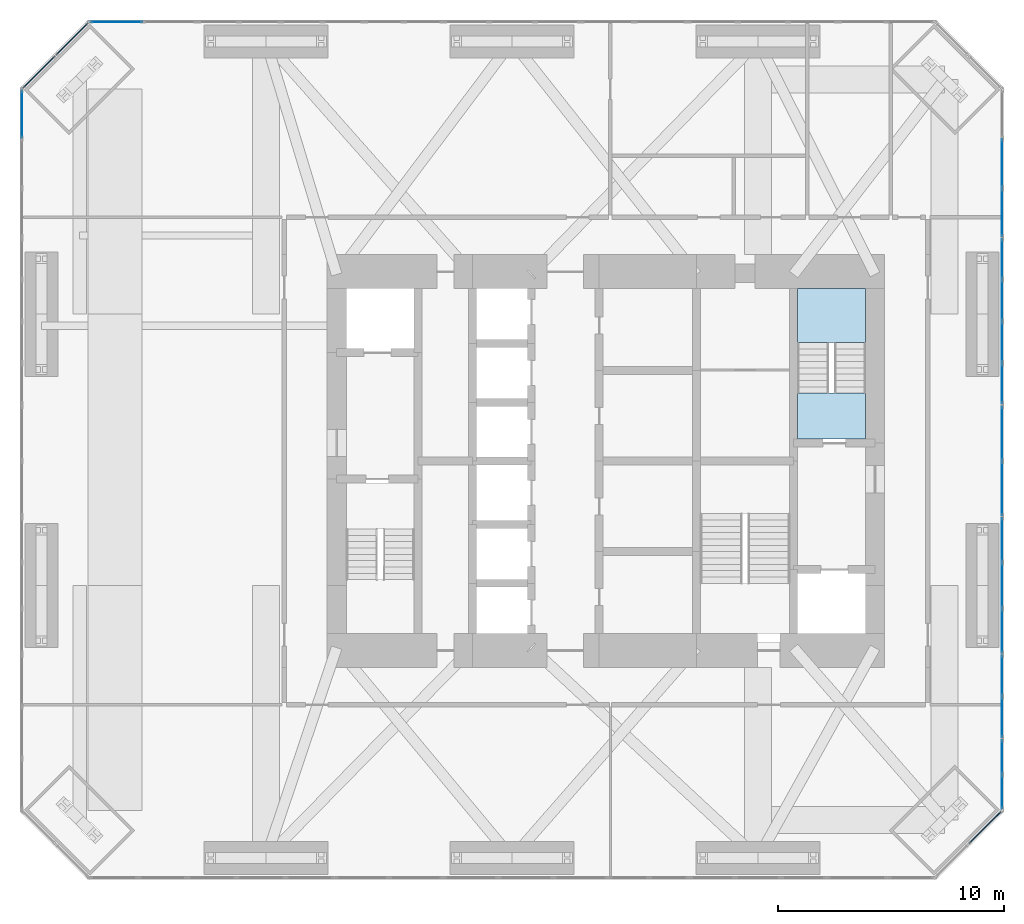
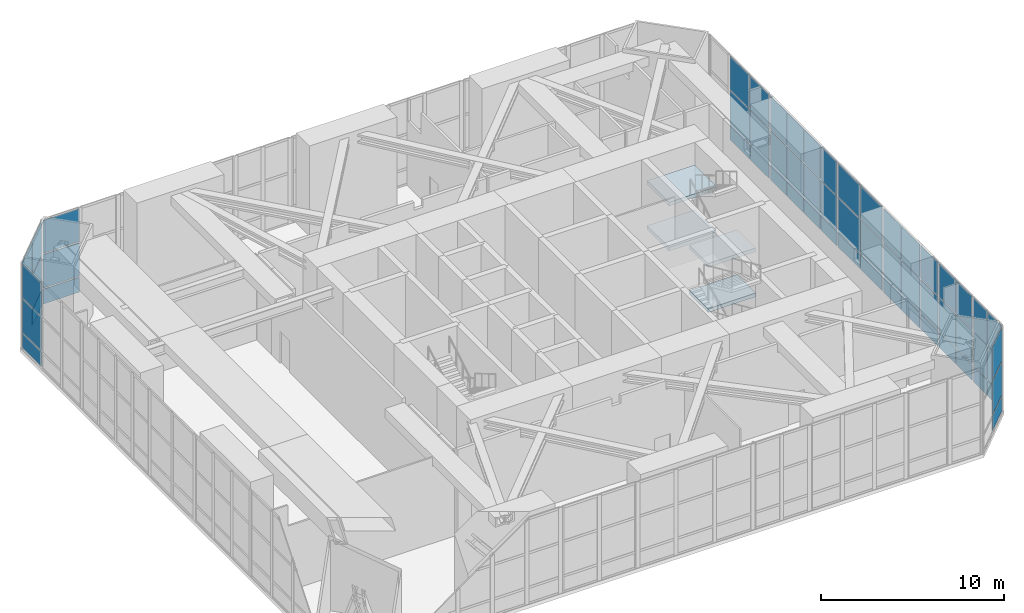
# One storey, part 12 of 18: 60 plates, 4 slabs, 11 elements without a shape of their own.
"""IFC4 building model written with IfcOpenShell, lengths in metres."""

from ifc_helpers import new_model, si_unit, direction, frame, origin, origin_2d, place, context, subcontext, project, spatial, polyline, rectangle, outline, extrude, material, layer, layer_set, type_object, element, aggregate, save


model = new_model("IFC4")

# Units and contexts
model_context = context("Model", 3, precision=1e-05, world=origin(), true_north=direction((0.0, 1.0)))
body_context = subcontext(model_context, "Body", "Model", "MODEL_VIEW")
ifc_project = project(units=[si_unit("LENGTHUNIT", "METRE"), si_unit("AREAUNIT", "SQUARE_METRE"), si_unit("VOLUMEUNIT", "CUBIC_METRE"), si_unit("PLANEANGLEUNIT", "RADIAN"), si_unit("MASSUNIT", "GRAM", prefix="KILO")], contexts=[model_context])

# Site, building, storey
site_placement = place(None, origin())
site = spatial("IfcSite", under=ifc_project, at=site_placement, CompositionType="ELEMENT")
building_placement = place(site_placement, origin())
building = spatial("IfcBuilding", under=site, at=building_placement, Name="Jalousie Tower", CompositionType="ELEMENT")
storey_placement = place(building_placement, frame((0.0, 0.0, 138.35009765625)))
storey = spatial("IfcBuildingStorey", under=building, at=storey_placement, Name="L38", CompositionType="ELEMENT", Elevation=138.35009765625)

# Curtain wall, plates
ifc_material_1 = material(Name="Aluminium curtain wall", Category="aluminium")
curtain_wall_type_1 = type_object("IfcCurtainWallType", Name="SKY LOUNGE SPANDREL WALL", PredefinedType="USERDEFINED", material=ifc_material_1)
curtain_wall_1_placement = place(storey_placement, origin())
curtain_wall_1 = element("IfcCurtainWall", 1, at=curtain_wall_1_placement, inside=storey, type_object=curtain_wall_type_1, Name="Sky Lounge Spandrel Wall L38 2", ObjectType="SKY LOUNGE SPANDREL WALL", PredefinedType="USERDEFINED")
ifc_material_2 = material(Name="Laminated impact-rated spandrel glass", Category="glass")
ifc_layer_1 = layer(ifc_material_2, 0.035888671875)
ifc_layer_set_1 = layer_set([ifc_layer_1], Name="Laminated impact-rated spandrel glass")
plate_type_1 = type_object("IfcPlateType", Name="SKY LOUNGE SPANDREL WALL PANEL", PredefinedType="CURTAIN_PANEL", material=ifc_layer_set_1)
plate_1_placement = place(storey_placement, frame((48.658203125, 2.297119140625, 0.07470703125), z_axis=(0.0, 0.0, 1.0), x_axis=(0.707106781187, 0.707106781187, 0.0)))
plate_1 = element("IfcPlate", 2, at=plate_1_placement, type_object=plate_type_1, Name="CW-KS panel 2.1", PredefinedType="CURTAIN_PANEL", context=body_context, shape_type="SweptSolid", body=[
    extrude(rectangle(XDim=1.983154296875, YDim=0.035888671875, at=origin_2d()), origin(), (0.0, 0.0, 1.0), 0.987548828125),
])
plate_2_placement = place(storey_placement, frame((48.658203125, 2.297119140625, 1.137451171875), z_axis=(0.0, 0.0, 1.0), x_axis=(0.707106781187, 0.707106781187, 0.0)))
plate_2 = element("IfcPlate", 3, at=plate_2_placement, type_object=plate_type_1, Name="CW-KS panel 2.2", PredefinedType="CURTAIN_PANEL", context=body_context, shape_type="SweptSolid", body=[
    extrude(rectangle(XDim=1.983154296875, YDim=0.035888671875, at=origin_2d()), origin(), (0.0, 0.0, 1.0), 2.22509765625),
])
plate_3_placement = place(storey_placement, frame((48.658203125, 2.297119140625, 3.4375), z_axis=(0.0, 0.0, 1.0), x_axis=(0.707106781187, 0.707106781187, 0.0)))
plate_3 = element("IfcPlate", 4, at=plate_3_placement, type_object=plate_type_1, Name="CW-KS panel 2.3", PredefinedType="CURTAIN_PANEL", context=body_context, shape_type="SweptSolid", body=[
    extrude(rectangle(XDim=1.983154296875, YDim=0.035888671875, at=origin_2d()), origin(), (0.0, 0.0, 1.0), 2.20751953125),
])
aggregate(curtain_wall_1, [plate_1, plate_2, plate_3])

curtain_wall_2_placement = place(storey_placement, origin())
curtain_wall_2 = element("IfcCurtainWall", 5, at=curtain_wall_2_placement, inside=storey, type_object=curtain_wall_type_1, Name="Sky Lounge Spandrel Wall L38 21", ObjectType="SKY LOUNGE SPANDREL WALL", PredefinedType="USERDEFINED")
plate_4_placement = place(storey_placement, frame((49.41259765625, 3.864013671875, 0.07470703125), z_axis=(0.0, 0.0, 1.0), x_axis=(0.0, 1.0, 0.0)))
plate_4 = element("IfcPlate", 6, at=plate_4_placement, type_object=plate_type_1, Name="CW-KS panel 1.1", PredefinedType="CURTAIN_PANEL", context=body_context, shape_type="SweptSolid", body=[
    extrude(rectangle(XDim=1.475341796875, YDim=0.035888671875, at=origin_2d()), origin(), (0.0, 0.0, 1.0), 0.987548828125),
])
plate_5_placement = place(storey_placement, frame((49.41259765625, 3.864013671875, 1.137451171875), z_axis=(0.0, 0.0, 1.0), x_axis=(0.0, 1.0, 0.0)))
plate_5 = element("IfcPlate", 7, at=plate_5_placement, type_object=plate_type_1, Name="CW-KS panel 1.2", PredefinedType="CURTAIN_PANEL", context=body_context, shape_type="SweptSolid", body=[
    extrude(rectangle(XDim=1.475341796875, YDim=0.035888671875, at=origin_2d()), origin(), (0.0, 0.0, 1.0), 2.22509765625),
])
plate_6_placement = place(storey_placement, frame((49.41259765625, 3.864013671875, 3.4375), z_axis=(0.0, 0.0, 1.0), x_axis=(0.0, 1.0, 0.0)))
plate_6 = element("IfcPlate", 8, at=plate_6_placement, type_object=plate_type_1, Name="CW-KS panel 1.3", PredefinedType="CURTAIN_PANEL", context=body_context, shape_type="SweptSolid", body=[
    extrude(rectangle(XDim=1.475341796875, YDim=0.035888671875, at=origin_2d()), origin(), (0.0, 0.0, 1.0), 2.20751953125),
])
plate_7_placement = place(storey_placement, frame((49.41259765625, 5.41455078125, 0.07470703125), z_axis=(0.0, 0.0, 1.0), x_axis=(0.0, 1.0, 0.0)))
plate_7 = element("IfcPlate", 9, at=plate_7_placement, type_object=plate_type_1, Name="CW-KS panel 2.1", PredefinedType="CURTAIN_PANEL", context=body_context, shape_type="SweptSolid", body=[
    extrude(rectangle(XDim=1.475341796875, YDim=0.035888671875, at=origin_2d()), origin(), (0.0, 0.0, 1.0), 0.987548828125),
])
plate_8_placement = place(storey_placement, frame((49.41259765625, 5.41455078125, 1.137451171875), z_axis=(0.0, 0.0, 1.0), x_axis=(0.0, 1.0, 0.0)))
plate_8 = element("IfcPlate", 10, at=plate_8_placement, type_object=plate_type_1, Name="CW-KS panel 2.2", PredefinedType="CURTAIN_PANEL", context=body_context, shape_type="SweptSolid", body=[
    extrude(rectangle(XDim=1.475341796875, YDim=0.035888671875, at=origin_2d()), origin(), (0.0, 0.0, 1.0), 2.22509765625),
])
plate_9_placement = place(storey_placement, frame((49.41259765625, 5.41455078125, 3.4375), z_axis=(0.0, 0.0, 1.0), x_axis=(0.0, 1.0, 0.0)))
plate_9 = element("IfcPlate", 11, at=plate_9_placement, type_object=plate_type_1, Name="CW-KS panel 2.3", PredefinedType="CURTAIN_PANEL", context=body_context, shape_type="SweptSolid", body=[
    extrude(rectangle(XDim=1.475341796875, YDim=0.035888671875, at=origin_2d()), origin(), (0.0, 0.0, 1.0), 2.20751953125),
])
aggregate(curtain_wall_2, [plate_4, plate_5, plate_6, plate_7, plate_8, plate_9])

curtain_wall_3_placement = place(storey_placement, origin())
curtain_wall_3 = element("IfcCurtainWall", 12, at=curtain_wall_3_placement, inside=storey, type_object=curtain_wall_type_1, Name="Sky Lounge Spandrel Wall L38 23", ObjectType="SKY LOUNGE SPANDREL WALL", PredefinedType="USERDEFINED")
plate_10_placement = place(storey_placement, frame((49.41259765625, 10.992431640625, 0.07470703125), z_axis=(0.0, 0.0, 1.0), x_axis=(0.0, 1.0, 0.0)))
plate_10 = element("IfcPlate", 13, at=plate_10_placement, type_object=plate_type_1, Name="CW-KS panel 1.1", PredefinedType="CURTAIN_PANEL", context=body_context, shape_type="SweptSolid", body=[
    extrude(rectangle(XDim=1.913818359375, YDim=0.035888671875, at=origin_2d()), origin(), (0.0, 0.0, 1.0), 0.987548828125),
])
plate_11_placement = place(storey_placement, frame((49.41259765625, 10.992431640625, 1.137451171875), z_axis=(0.0, 0.0, 1.0), x_axis=(0.0, 1.0, 0.0)))
plate_11 = element("IfcPlate", 14, at=plate_11_placement, type_object=plate_type_1, Name="CW-KS panel 1.2", PredefinedType="CURTAIN_PANEL", context=body_context, shape_type="SweptSolid", body=[
    extrude(rectangle(XDim=1.913818359375, YDim=0.035888671875, at=origin_2d()), origin(), (0.0, 0.0, 1.0), 2.22509765625),
])
plate_12_placement = place(storey_placement, frame((49.41259765625, 10.992431640625, 3.4375), z_axis=(0.0, 0.0, 1.0), x_axis=(0.0, 1.0, 0.0)))
plate_12 = element("IfcPlate", 15, at=plate_12_placement, type_object=plate_type_1, Name="CW-KS panel 1.3", PredefinedType="CURTAIN_PANEL", context=body_context, shape_type="SweptSolid", body=[
    extrude(rectangle(XDim=1.913818359375, YDim=0.035888671875, at=origin_2d()), origin(), (0.0, 0.0, 1.0), 2.20751953125),
])
plate_13_placement = place(storey_placement, frame((49.41259765625, 13.0, 0.07470703125), z_axis=(0.0, 0.0, 1.0), x_axis=(0.0, 1.0, 0.0)))
plate_13 = element("IfcPlate", 16, at=plate_13_placement, type_object=plate_type_1, Name="CW-KS panel 2.1", PredefinedType="CURTAIN_PANEL", context=body_context, shape_type="SweptSolid", body=[
    extrude(rectangle(XDim=1.951416015625, YDim=0.035888671875, at=origin_2d()), origin(), (0.0, 0.0, 1.0), 0.987548828125),
])
plate_14_placement = place(storey_placement, frame((49.41259765625, 13.0, 1.137451171875), z_axis=(0.0, 0.0, 1.0), x_axis=(0.0, 1.0, 0.0)))
plate_14 = element("IfcPlate", 17, at=plate_14_placement, type_object=plate_type_1, Name="CW-KS panel 2.2", PredefinedType="CURTAIN_PANEL", context=body_context, shape_type="SweptSolid", body=[
    extrude(rectangle(XDim=1.951416015625, YDim=0.035888671875, at=origin_2d()), origin(), (0.0, 0.0, 1.0), 2.22509765625),
])
plate_15_placement = place(storey_placement, frame((49.41259765625, 13.0, 3.4375), z_axis=(0.0, 0.0, 1.0), x_axis=(0.0, 1.0, 0.0)))
plate_15 = element("IfcPlate", 18, at=plate_15_placement, type_object=plate_type_1, Name="CW-KS panel 2.3", PredefinedType="CURTAIN_PANEL", context=body_context, shape_type="SweptSolid", body=[
    extrude(rectangle(XDim=1.951416015625, YDim=0.035888671875, at=origin_2d()), origin(), (0.0, 0.0, 1.0), 2.20751953125),
])
plate_16_placement = place(storey_placement, frame((49.41259765625, 15.007568359375, 0.07470703125), z_axis=(0.0, 0.0, 1.0), x_axis=(0.0, 1.0, 0.0)))
plate_16 = element("IfcPlate", 19, at=plate_16_placement, type_object=plate_type_1, Name="CW-KS panel 3.1", PredefinedType="CURTAIN_PANEL", context=body_context, shape_type="SweptSolid", body=[
    extrude(rectangle(XDim=1.913818359375, YDim=0.035888671875, at=origin_2d()), origin(), (0.0, 0.0, 1.0), 0.987548828125),
])
plate_17_placement = place(storey_placement, frame((49.41259765625, 15.007568359375, 1.137451171875), z_axis=(0.0, 0.0, 1.0), x_axis=(0.0, 1.0, 0.0)))
plate_17 = element("IfcPlate", 20, at=plate_17_placement, type_object=plate_type_1, Name="CW-KS panel 3.2", PredefinedType="CURTAIN_PANEL", context=body_context, shape_type="SweptSolid", body=[
    extrude(rectangle(XDim=1.913818359375, YDim=0.035888671875, at=origin_2d()), origin(), (0.0, 0.0, 1.0), 2.22509765625),
])
plate_18_placement = place(storey_placement, frame((49.41259765625, 15.007568359375, 3.4375), z_axis=(0.0, 0.0, 1.0), x_axis=(0.0, 1.0, 0.0)))
plate_18 = element("IfcPlate", 21, at=plate_18_placement, type_object=plate_type_1, Name="CW-KS panel 3.3", PredefinedType="CURTAIN_PANEL", context=body_context, shape_type="SweptSolid", body=[
    extrude(rectangle(XDim=1.913818359375, YDim=0.035888671875, at=origin_2d()), origin(), (0.0, 0.0, 1.0), 2.20751953125),
])
aggregate(curtain_wall_3, [plate_10, plate_11, plate_12, plate_13, plate_14, plate_15, plate_16, plate_17, plate_18])

curtain_wall_4_placement = place(storey_placement, origin())
curtain_wall_4 = element("IfcCurtainWall", 22, at=curtain_wall_4_placement, inside=storey, type_object=curtain_wall_type_1, Name="Sky Lounge Spandrel Wall L38 25", ObjectType="SKY LOUNGE SPANDREL WALL", PredefinedType="USERDEFINED")
plate_19_placement = place(storey_placement, frame((49.41259765625, 21.9228515625, 0.07470703125), z_axis=(0.0, 0.0, 1.0), x_axis=(0.0, 1.0, 0.0)))
plate_19 = element("IfcPlate", 23, at=plate_19_placement, type_object=plate_type_1, Name="CW-KS panel 1.1", PredefinedType="CURTAIN_PANEL", context=body_context, shape_type="SweptSolid", body=[
    extrude(rectangle(XDim=1.735595703125, YDim=0.035888671875, at=origin_2d()), origin(), (0.0, 0.0, 1.0), 0.987548828125),
])
plate_20_placement = place(storey_placement, frame((49.41259765625, 21.9228515625, 1.137451171875), z_axis=(0.0, 0.0, 1.0), x_axis=(0.0, 1.0, 0.0)))
plate_20 = element("IfcPlate", 24, at=plate_20_placement, type_object=plate_type_1, Name="CW-KS panel 1.2", PredefinedType="CURTAIN_PANEL", context=body_context, shape_type="SweptSolid", body=[
    extrude(rectangle(XDim=1.735595703125, YDim=0.035888671875, at=origin_2d()), origin(), (0.0, 0.0, 1.0), 2.22509765625),
])
plate_21_placement = place(storey_placement, frame((49.41259765625, 21.9228515625, 3.4375), z_axis=(0.0, 0.0, 1.0), x_axis=(0.0, 1.0, 0.0)))
plate_21 = element("IfcPlate", 25, at=plate_21_placement, type_object=plate_type_1, Name="CW-KS panel 1.3", PredefinedType="CURTAIN_PANEL", context=body_context, shape_type="SweptSolid", body=[
    extrude(rectangle(XDim=1.735595703125, YDim=0.035888671875, at=origin_2d()), origin(), (0.0, 0.0, 1.0), 2.20751953125),
])
plate_22_placement = place(storey_placement, frame((49.41259765625, 23.752197265625, 0.07470703125), z_axis=(0.0, 0.0, 1.0), x_axis=(0.0, 1.0, 0.0)))
plate_22 = element("IfcPlate", 26, at=plate_22_placement, type_object=plate_type_1, Name="CW-KS panel 2.1", PredefinedType="CURTAIN_PANEL", context=body_context, shape_type="SweptSolid", body=[
    extrude(rectangle(XDim=1.773193359375, YDim=0.035888671875, at=origin_2d()), origin(), (0.0, 0.0, 1.0), 0.987548828125),
])
plate_23_placement = place(storey_placement, frame((49.41259765625, 23.752197265625, 1.137451171875), z_axis=(0.0, 0.0, 1.0), x_axis=(0.0, 1.0, 0.0)))
plate_23 = element("IfcPlate", 27, at=plate_23_placement, type_object=plate_type_1, Name="CW-KS panel 2.2", PredefinedType="CURTAIN_PANEL", context=body_context, shape_type="SweptSolid", body=[
    extrude(rectangle(XDim=1.773193359375, YDim=0.035888671875, at=origin_2d()), origin(), (0.0, 0.0, 1.0), 2.22509765625),
])
plate_24_placement = place(storey_placement, frame((49.41259765625, 23.752197265625, 3.4375), z_axis=(0.0, 0.0, 1.0), x_axis=(0.0, 1.0, 0.0)))
plate_24 = element("IfcPlate", 28, at=plate_24_placement, type_object=plate_type_1, Name="CW-KS panel 2.3", PredefinedType="CURTAIN_PANEL", context=body_context, shape_type="SweptSolid", body=[
    extrude(rectangle(XDim=1.773193359375, YDim=0.035888671875, at=origin_2d()), origin(), (0.0, 0.0, 1.0), 2.20751953125),
])
plate_25_placement = place(storey_placement, frame((49.41259765625, 25.600341796875, 0.07470703125), z_axis=(0.0, 0.0, 1.0), x_axis=(0.0, 1.0, 0.0)))
plate_25 = element("IfcPlate", 29, at=plate_25_placement, type_object=plate_type_1, Name="CW-KS panel 3.1", PredefinedType="CURTAIN_PANEL", context=body_context, shape_type="SweptSolid", body=[
    extrude(rectangle(XDim=1.773193359375, YDim=0.035888671875, at=origin_2d()), origin(), (0.0, 0.0, 1.0), 0.987548828125),
])
plate_26_placement = place(storey_placement, frame((49.41259765625, 25.600341796875, 1.137451171875), z_axis=(0.0, 0.0, 1.0), x_axis=(0.0, 1.0, 0.0)))
plate_26 = element("IfcPlate", 30, at=plate_26_placement, type_object=plate_type_1, Name="CW-KS panel 3.2", PredefinedType="CURTAIN_PANEL", context=body_context, shape_type="SweptSolid", body=[
    extrude(rectangle(XDim=1.773193359375, YDim=0.035888671875, at=origin_2d()), origin(), (0.0, 0.0, 1.0), 2.22509765625),
])
plate_27_placement = place(storey_placement, frame((49.41259765625, 25.600341796875, 3.4375), z_axis=(0.0, 0.0, 1.0), x_axis=(0.0, 1.0, 0.0)))
plate_27 = element("IfcPlate", 31, at=plate_27_placement, type_object=plate_type_1, Name="CW-KS panel 3.3", PredefinedType="CURTAIN_PANEL", context=body_context, shape_type="SweptSolid", body=[
    extrude(rectangle(XDim=1.773193359375, YDim=0.035888671875, at=origin_2d()), origin(), (0.0, 0.0, 1.0), 2.20751953125),
])
plate_28_placement = place(storey_placement, frame((49.41259765625, 27.4296875, 0.07470703125), z_axis=(0.0, 0.0, 1.0), x_axis=(0.0, 1.0, 0.0)))
plate_28 = element("IfcPlate", 32, at=plate_28_placement, type_object=plate_type_1, Name="CW-KS panel 4.1", PredefinedType="CURTAIN_PANEL", context=body_context, shape_type="SweptSolid", body=[
    extrude(rectangle(XDim=1.735595703125, YDim=0.035888671875, at=origin_2d()), origin(), (0.0, 0.0, 1.0), 0.987548828125),
])
plate_29_placement = place(storey_placement, frame((49.41259765625, 27.4296875, 1.137451171875), z_axis=(0.0, 0.0, 1.0), x_axis=(0.0, 1.0, 0.0)))
plate_29 = element("IfcPlate", 33, at=plate_29_placement, type_object=plate_type_1, Name="CW-KS panel 4.2", PredefinedType="CURTAIN_PANEL", context=body_context, shape_type="SweptSolid", body=[
    extrude(rectangle(XDim=1.735595703125, YDim=0.035888671875, at=origin_2d()), origin(), (0.0, 0.0, 1.0), 2.22509765625),
])
plate_30_placement = place(storey_placement, frame((49.41259765625, 27.4296875, 3.4375), z_axis=(0.0, 0.0, 1.0), x_axis=(0.0, 1.0, 0.0)))
plate_30 = element("IfcPlate", 34, at=plate_30_placement, type_object=plate_type_1, Name="CW-KS panel 4.3", PredefinedType="CURTAIN_PANEL", context=body_context, shape_type="SweptSolid", body=[
    extrude(rectangle(XDim=1.735595703125, YDim=0.035888671875, at=origin_2d()), origin(), (0.0, 0.0, 1.0), 2.20751953125),
])
aggregate(curtain_wall_4, [plate_19, plate_20, plate_21, plate_22, plate_23, plate_24, plate_25, plate_26, plate_27, plate_28, plate_29, plate_30])

curtain_wall_5_placement = place(storey_placement, origin())
curtain_wall_5 = element("IfcCurtainWall", 35, at=curtain_wall_5_placement, inside=storey, type_object=curtain_wall_type_1, Name="Sky Lounge Spandrel Wall L38 6", ObjectType="SKY LOUNGE SPANDREL WALL", PredefinedType="USERDEFINED")
plate_31_placement = place(storey_placement, frame((8.297119140625, 37.158203125, 0.07470703125), z_axis=(0.0, 0.0, 1.0), x_axis=(-0.707106781187, -0.707106781187, 0.0)))
plate_31 = element("IfcPlate", 36, at=plate_31_placement, type_object=plate_type_1, Name="CW-KS panel 1.1", PredefinedType="CURTAIN_PANEL", context=body_context, shape_type="SweptSolid", body=[
    extrude(rectangle(XDim=1.983154296875, YDim=0.035888671875, at=origin_2d()), origin(), (0.0, 0.0, 1.0), 0.987548828125),
])
plate_32_placement = place(storey_placement, frame((8.297119140625, 37.158203125, 1.137451171875), z_axis=(0.0, 0.0, 1.0), x_axis=(-0.707106781187, -0.707106781187, 0.0)))
plate_32 = element("IfcPlate", 37, at=plate_32_placement, type_object=plate_type_1, Name="CW-KS panel 1.2", PredefinedType="CURTAIN_PANEL", context=body_context, shape_type="SweptSolid", body=[
    extrude(rectangle(XDim=1.983154296875, YDim=0.035888671875, at=origin_2d()), origin(), (0.0, 0.0, 1.0), 2.22509765625),
])
plate_33_placement = place(storey_placement, frame((8.297119140625, 37.158203125, 3.4375), z_axis=(0.0, 0.0, 1.0), x_axis=(-0.707106781187, -0.707106781187, 0.0)))
plate_33 = element("IfcPlate", 38, at=plate_33_placement, type_object=plate_type_1, Name="CW-KS panel 1.3", PredefinedType="CURTAIN_PANEL", context=body_context, shape_type="SweptSolid", body=[
    extrude(rectangle(XDim=1.983154296875, YDim=0.035888671875, at=origin_2d()), origin(), (0.0, 0.0, 1.0), 2.20751953125),
])
plate_34_placement = place(storey_placement, frame((6.841796875, 35.702880859375, 0.07470703125), z_axis=(0.0, 0.0, 1.0), x_axis=(-0.707106781187, -0.707106781187, 0.0)))
plate_34 = element("IfcPlate", 39, at=plate_34_placement, type_object=plate_type_1, Name="CW-KS panel 2.1", PredefinedType="CURTAIN_PANEL", context=body_context, shape_type="SweptSolid", body=[
    extrude(rectangle(XDim=1.983154296875, YDim=0.035888671875, at=origin_2d()), origin(), (0.0, 0.0, 1.0), 0.987548828125),
])
plate_35_placement = place(storey_placement, frame((6.841796875, 35.702880859375, 1.137451171875), z_axis=(0.0, 0.0, 1.0), x_axis=(-0.707106781187, -0.707106781187, 0.0)))
plate_35 = element("IfcPlate", 40, at=plate_35_placement, type_object=plate_type_1, Name="CW-KS panel 2.2", PredefinedType="CURTAIN_PANEL", context=body_context, shape_type="SweptSolid", body=[
    extrude(rectangle(XDim=1.983154296875, YDim=0.035888671875, at=origin_2d()), origin(), (0.0, 0.0, 1.0), 2.22509765625),
])
plate_36_placement = place(storey_placement, frame((6.841796875, 35.702880859375, 3.4375), z_axis=(0.0, 0.0, 1.0), x_axis=(-0.707106781187, -0.707106781187, 0.0)))
plate_36 = element("IfcPlate", 41, at=plate_36_placement, type_object=plate_type_1, Name="CW-KS panel 2.3", PredefinedType="CURTAIN_PANEL", context=body_context, shape_type="SweptSolid", body=[
    extrude(rectangle(XDim=1.983154296875, YDim=0.035888671875, at=origin_2d()), origin(), (0.0, 0.0, 1.0), 2.20751953125),
])
aggregate(curtain_wall_5, [plate_31, plate_32, plate_33, plate_34, plate_35, plate_36])

ifc_material_3 = material(Name="Aluminium curtain wall", Category="aluminium")
curtain_wall_type_2 = type_object("IfcCurtainWallType", Name="SKY LOUNGE WINDOW WALL", PredefinedType="USERDEFINED", material=ifc_material_3)
curtain_wall_6_placement = place(storey_placement, origin())
curtain_wall_6 = element("IfcCurtainWall", 42, at=curtain_wall_6_placement, inside=storey, type_object=curtain_wall_type_2, Name="Sky Lounge Window Wall L38 22", ObjectType="SKY LOUNGE WINDOW WALL", PredefinedType="USERDEFINED")
ifc_material_4 = material(Name="Laminated impact-rated glass", Category="glass")
ifc_layer_2 = layer(ifc_material_4, 0.035888671875)
ifc_layer_set_2 = layer_set([ifc_layer_2], Name="Laminated impact-rated glass")
plate_type_2 = type_object("IfcPlateType", Name="SKY LOUNGE WINDOW WALL PANEL", PredefinedType="CURTAIN_PANEL", material=ifc_layer_set_2)
plate_37_placement = place(storey_placement, frame((49.41259765625, 7.17919921875, 0.07470703125), z_axis=(0.0, 0.0, 1.0), x_axis=(0.0, 1.0, 0.0)))
plate_37 = element("IfcPlate", 43, at=plate_37_placement, type_object=plate_type_2, Name="CW-K panel 1.1", PredefinedType="CURTAIN_PANEL", context=body_context, shape_type="SweptSolid", body=[
    extrude(rectangle(XDim=1.754150390625, YDim=0.035888671875, at=origin_2d()), origin(), (0.0, 0.0, 1.0), 0.987548828125),
])
plate_38_placement = place(storey_placement, frame((49.41259765625, 7.17919921875, 1.137451171875), z_axis=(0.0, 0.0, 1.0), x_axis=(0.0, 1.0, 0.0)))
plate_38 = element("IfcPlate", 44, at=plate_38_placement, type_object=plate_type_2, Name="CW-K panel 1.2", PredefinedType="CURTAIN_PANEL", context=body_context, shape_type="SweptSolid", body=[
    extrude(rectangle(XDim=1.754150390625, YDim=0.035888671875, at=origin_2d()), origin(), (0.0, 0.0, 1.0), 2.22509765625),
])
plate_39_placement = place(storey_placement, frame((49.41259765625, 7.17919921875, 3.4375), z_axis=(0.0, 0.0, 1.0), x_axis=(0.0, 1.0, 0.0)))
plate_39 = element("IfcPlate", 45, at=plate_39_placement, type_object=plate_type_2, Name="CW-K panel 1.3", PredefinedType="CURTAIN_PANEL", context=body_context, shape_type="SweptSolid", body=[
    extrude(rectangle(XDim=1.754150390625, YDim=0.035888671875, at=origin_2d()), origin(), (0.0, 0.0, 1.0), 2.20751953125),
])
plate_40_placement = place(storey_placement, frame((49.41259765625, 9.008544921875, 0.07470703125), z_axis=(0.0, 0.0, 1.0), x_axis=(0.0, 1.0, 0.0)))
plate_40 = element("IfcPlate", 46, at=plate_40_placement, type_object=plate_type_2, Name="CW-K panel 2.1", PredefinedType="CURTAIN_PANEL", context=body_context, shape_type="SweptSolid", body=[
    extrude(rectangle(XDim=1.754150390625, YDim=0.035888671875, at=origin_2d()), origin(), (0.0, 0.0, 1.0), 0.987548828125),
])
plate_41_placement = place(storey_placement, frame((49.41259765625, 9.008544921875, 1.137451171875), z_axis=(0.0, 0.0, 1.0), x_axis=(0.0, 1.0, 0.0)))
plate_41 = element("IfcPlate", 47, at=plate_41_placement, type_object=plate_type_2, Name="CW-K panel 2.2", PredefinedType="CURTAIN_PANEL", context=body_context, shape_type="SweptSolid", body=[
    extrude(rectangle(XDim=1.754150390625, YDim=0.035888671875, at=origin_2d()), origin(), (0.0, 0.0, 1.0), 2.22509765625),
])
plate_42_placement = place(storey_placement, frame((49.41259765625, 9.008544921875, 3.4375), z_axis=(0.0, 0.0, 1.0), x_axis=(0.0, 1.0, 0.0)))
plate_42 = element("IfcPlate", 48, at=plate_42_placement, type_object=plate_type_2, Name="CW-K panel 2.3", PredefinedType="CURTAIN_PANEL", context=body_context, shape_type="SweptSolid", body=[
    extrude(rectangle(XDim=1.754150390625, YDim=0.035888671875, at=origin_2d()), origin(), (0.0, 0.0, 1.0), 2.20751953125),
])
aggregate(curtain_wall_6, [plate_37, plate_38, plate_39, plate_40, plate_41, plate_42])

curtain_wall_7_placement = place(storey_placement, origin())
curtain_wall_7 = element("IfcCurtainWall", 49, at=curtain_wall_7_placement, inside=storey, type_object=curtain_wall_type_2, Name="Sky Lounge Window Wall L38 24", ObjectType="SKY LOUNGE WINDOW WALL", PredefinedType="USERDEFINED")
plate_43_placement = place(storey_placement, frame((49.41259765625, 17.29345703125, 0.07470703125), z_axis=(0.0, 0.0, 1.0), x_axis=(0.0, 1.0, 0.0)))
plate_43 = element("IfcPlate", 50, at=plate_43_placement, type_object=plate_type_2, Name="CW-K panel 1.1", PredefinedType="CURTAIN_PANEL", context=body_context, shape_type="SweptSolid", body=[
    extrude(rectangle(XDim=2.357666015625, YDim=0.035888671875, at=origin_2d()), origin(), (0.0, 0.0, 1.0), 0.987548828125),
])
plate_44_placement = place(storey_placement, frame((49.41259765625, 17.29345703125, 1.137451171875), z_axis=(0.0, 0.0, 1.0), x_axis=(0.0, 1.0, 0.0)))
plate_44 = element("IfcPlate", 51, at=plate_44_placement, type_object=plate_type_2, Name="CW-K panel 1.2", PredefinedType="CURTAIN_PANEL", context=body_context, shape_type="SweptSolid", body=[
    extrude(rectangle(XDim=2.357666015625, YDim=0.035888671875, at=origin_2d()), origin(), (0.0, 0.0, 1.0), 2.22509765625),
])
plate_45_placement = place(storey_placement, frame((49.41259765625, 17.29345703125, 3.4375), z_axis=(0.0, 0.0, 1.0), x_axis=(0.0, 1.0, 0.0)))
plate_45 = element("IfcPlate", 52, at=plate_45_placement, type_object=plate_type_2, Name="CW-K panel 1.3", PredefinedType="CURTAIN_PANEL", context=body_context, shape_type="SweptSolid", body=[
    extrude(rectangle(XDim=2.357666015625, YDim=0.035888671875, at=origin_2d()), origin(), (0.0, 0.0, 1.0), 2.20751953125),
])
plate_46_placement = place(storey_placement, frame((49.41259765625, 19.72607421875, 0.07470703125), z_axis=(0.0, 0.0, 1.0), x_axis=(0.0, 1.0, 0.0)))
plate_46 = element("IfcPlate", 53, at=plate_46_placement, type_object=plate_type_2, Name="CW-K panel 2.1", PredefinedType="CURTAIN_PANEL", context=body_context, shape_type="SweptSolid", body=[
    extrude(rectangle(XDim=2.357666015625, YDim=0.035888671875, at=origin_2d()), origin(), (0.0, 0.0, 1.0), 0.987548828125),
])
plate_47_placement = place(storey_placement, frame((49.41259765625, 19.72607421875, 1.137451171875), z_axis=(0.0, 0.0, 1.0), x_axis=(0.0, 1.0, 0.0)))
plate_47 = element("IfcPlate", 54, at=plate_47_placement, type_object=plate_type_2, Name="CW-K panel 2.2", PredefinedType="CURTAIN_PANEL", context=body_context, shape_type="SweptSolid", body=[
    extrude(rectangle(XDim=2.357666015625, YDim=0.035888671875, at=origin_2d()), origin(), (0.0, 0.0, 1.0), 2.22509765625),
])
plate_48_placement = place(storey_placement, frame((49.41259765625, 19.72607421875, 3.4375), z_axis=(0.0, 0.0, 1.0), x_axis=(0.0, 1.0, 0.0)))
plate_48 = element("IfcPlate", 55, at=plate_48_placement, type_object=plate_type_2, Name="CW-K panel 2.3", PredefinedType="CURTAIN_PANEL", context=body_context, shape_type="SweptSolid", body=[
    extrude(rectangle(XDim=2.357666015625, YDim=0.035888671875, at=origin_2d()), origin(), (0.0, 0.0, 1.0), 2.20751953125),
])
aggregate(curtain_wall_7, [plate_43, plate_44, plate_45, plate_46, plate_47, plate_48])

curtain_wall_8_placement = place(storey_placement, origin())
curtain_wall_8 = element("IfcCurtainWall", 56, at=curtain_wall_8_placement, inside=storey, type_object=curtain_wall_type_2, Name="Sky Lounge Window Wall L38 26", ObjectType="SKY LOUNGE WINDOW WALL", PredefinedType="USERDEFINED")
plate_49_placement = place(storey_placement, frame((49.41259765625, 29.4873046875, 0.07470703125), z_axis=(0.0, 0.0, 1.0), x_axis=(0.0, 1.0, 0.0)))
plate_49 = element("IfcPlate", 57, at=plate_49_placement, type_object=plate_type_2, Name="CW-K panel 1.1", PredefinedType="CURTAIN_PANEL", context=body_context, shape_type="SweptSolid", body=[
    extrude(rectangle(XDim=2.07958984375, YDim=0.035888671875, at=origin_2d()), origin(), (0.0, 0.0, 1.0), 0.987548828125),
])
plate_50_placement = place(storey_placement, frame((49.41259765625, 29.4873046875, 1.137451171875), z_axis=(0.0, 0.0, 1.0), x_axis=(0.0, 1.0, 0.0)))
plate_50 = element("IfcPlate", 58, at=plate_50_placement, type_object=plate_type_2, Name="CW-K panel 1.2", PredefinedType="CURTAIN_PANEL", context=body_context, shape_type="SweptSolid", body=[
    extrude(rectangle(XDim=2.07958984375, YDim=0.035888671875, at=origin_2d()), origin(), (0.0, 0.0, 1.0), 2.22509765625),
])
plate_51_placement = place(storey_placement, frame((49.41259765625, 29.4873046875, 3.4375), z_axis=(0.0, 0.0, 1.0), x_axis=(0.0, 1.0, 0.0)))
plate_51 = element("IfcPlate", 59, at=plate_51_placement, type_object=plate_type_2, Name="CW-K panel 1.3", PredefinedType="CURTAIN_PANEL", context=body_context, shape_type="SweptSolid", body=[
    extrude(rectangle(XDim=2.07958984375, YDim=0.035888671875, at=origin_2d()), origin(), (0.0, 0.0, 1.0), 2.20751953125),
])
plate_52_placement = place(storey_placement, frame((49.41259765625, 31.66064453125, 0.07470703125), z_axis=(0.0, 0.0, 1.0), x_axis=(0.0, 1.0, 0.0)))
plate_52 = element("IfcPlate", 60, at=plate_52_placement, type_object=plate_type_2, Name="CW-K panel 2.1", PredefinedType="CURTAIN_PANEL", context=body_context, shape_type="SweptSolid", body=[
    extrude(rectangle(XDim=2.116943359375, YDim=0.035888671875, at=origin_2d()), origin(), (0.0, 0.0, 1.0), 0.987548828125),
])
plate_53_placement = place(storey_placement, frame((49.41259765625, 31.66064453125, 1.137451171875), z_axis=(0.0, 0.0, 1.0), x_axis=(0.0, 1.0, 0.0)))
plate_53 = element("IfcPlate", 61, at=plate_53_placement, type_object=plate_type_2, Name="CW-K panel 2.2", PredefinedType="CURTAIN_PANEL", context=body_context, shape_type="SweptSolid", body=[
    extrude(rectangle(XDim=2.116943359375, YDim=0.035888671875, at=origin_2d()), origin(), (0.0, 0.0, 1.0), 2.22509765625),
])
plate_54_placement = place(storey_placement, frame((49.41259765625, 31.66064453125, 3.4375), z_axis=(0.0, 0.0, 1.0), x_axis=(0.0, 1.0, 0.0)))
plate_54 = element("IfcPlate", 62, at=plate_54_placement, type_object=plate_type_2, Name="CW-K panel 2.3", PredefinedType="CURTAIN_PANEL", context=body_context, shape_type="SweptSolid", body=[
    extrude(rectangle(XDim=2.116943359375, YDim=0.035888671875, at=origin_2d()), origin(), (0.0, 0.0, 1.0), 2.20751953125),
])
aggregate(curtain_wall_8, [plate_49, plate_50, plate_51, plate_52, plate_53, plate_54])

curtain_wall_9_placement = place(storey_placement, origin())
curtain_wall_9 = element("IfcCurtainWall", 63, at=curtain_wall_9_placement, inside=storey, type_object=curtain_wall_type_2, Name="Sky Lounge Window Wall L38 47", ObjectType="SKY LOUNGE WINDOW WALL", PredefinedType="USERDEFINED")
plate_55_placement = place(storey_placement, frame((10.26611328125, 37.91259765625, 0.07470703125), z_axis=(0.0, 0.0, 1.0), x_axis=(-1.0, 0.0, 0.0)))
plate_55 = element("IfcPlate", 64, at=plate_55_placement, type_object=plate_type_2, Name="CW-K panel 2.1", PredefinedType="CURTAIN_PANEL", context=body_context, shape_type="SweptSolid", body=[
    extrude(rectangle(XDim=2.279541015625, YDim=0.035888671875, at=origin_2d()), origin(), (0.0, 0.0, 1.0), 0.987548828125),
])
plate_56_placement = place(storey_placement, frame((10.26611328125, 37.91259765625, 1.137451171875), z_axis=(0.0, 0.0, 1.0), x_axis=(-1.0, 0.0, 0.0)))
plate_56 = element("IfcPlate", 65, at=plate_56_placement, type_object=plate_type_2, Name="CW-K panel 2.2", PredefinedType="CURTAIN_PANEL", context=body_context, shape_type="SweptSolid", body=[
    extrude(rectangle(XDim=2.279541015625, YDim=0.035888671875, at=origin_2d()), origin(), (0.0, 0.0, 1.0), 2.22509765625),
])
plate_57_placement = place(storey_placement, frame((10.26611328125, 37.91259765625, 3.4375), z_axis=(0.0, 0.0, 1.0), x_axis=(-1.0, 0.0, 0.0)))
plate_57 = element("IfcPlate", 66, at=plate_57_placement, type_object=plate_type_2, Name="CW-K panel 2.3", PredefinedType="CURTAIN_PANEL", context=body_context, shape_type="SweptSolid", body=[
    extrude(rectangle(XDim=2.279541015625, YDim=0.035888671875, at=origin_2d()), origin(), (0.0, 0.0, 1.0), 2.20751953125),
])
aggregate(curtain_wall_9, [plate_55, plate_56, plate_57])

curtain_wall_10_placement = place(storey_placement, origin())
curtain_wall_10 = element("IfcCurtainWall", 67, at=curtain_wall_10_placement, inside=storey, type_object=curtain_wall_type_2, Name="Sky Lounge Window Wall L38 61", ObjectType="SKY LOUNGE WINDOW WALL", PredefinedType="USERDEFINED")
plate_58_placement = place(storey_placement, frame((6.08740234375, 33.833984375, 0.07470703125), z_axis=(0.0, 0.0, 1.0), x_axis=(0.0, -1.0, 0.0)))
plate_58 = element("IfcPlate", 68, at=plate_58_placement, type_object=plate_type_2, Name="CW-K panel 1.1", PredefinedType="CURTAIN_PANEL", context=body_context, shape_type="SweptSolid", body=[
    extrude(rectangle(XDim=2.07958984375, YDim=0.035888671875, at=origin_2d()), origin(), (0.0, 0.0, 1.0), 0.987548828125),
])
plate_59_placement = place(storey_placement, frame((6.08740234375, 33.833984375, 1.137451171875), z_axis=(0.0, 0.0, 1.0), x_axis=(0.0, -1.0, 0.0)))
plate_59 = element("IfcPlate", 69, at=plate_59_placement, type_object=plate_type_2, Name="CW-K panel 1.2", PredefinedType="CURTAIN_PANEL", context=body_context, shape_type="SweptSolid", body=[
    extrude(rectangle(XDim=2.07958984375, YDim=0.035888671875, at=origin_2d()), origin(), (0.0, 0.0, 1.0), 2.22509765625),
])
plate_60_placement = place(storey_placement, frame((6.08740234375, 33.833984375, 3.4375), z_axis=(0.0, 0.0, 1.0), x_axis=(0.0, -1.0, 0.0)))
plate_60 = element("IfcPlate", 70, at=plate_60_placement, type_object=plate_type_2, Name="CW-K panel 1.3", PredefinedType="CURTAIN_PANEL", context=body_context, shape_type="SweptSolid", body=[
    extrude(rectangle(XDim=2.07958984375, YDim=0.035888671875, at=origin_2d()), origin(), (0.0, 0.0, 1.0), 2.20751953125),
])
aggregate(curtain_wall_10, [plate_58, plate_59, plate_60])

# Stair, slabs
ifc_material_5 = material(Name="Concrete f'c 40 MPa", Category="concrete")
stair_type = type_object("IfcStairType", Name="EXIT STAIR", PredefinedType="HALF_TURN_STAIR", material=ifc_material_5)
stair_placement = place(storey_placement, origin())
stair = element("IfcStair", 71, at=stair_placement, inside=storey, type_object=stair_type, Name="Exit stair B L38", PredefinedType="HALF_TURN_STAIR")
ifc_material_6 = material(Name="Concrete f'c 40 MPa", Category="concrete")
ifc_layer_3 = layer(ifc_material_6, 0.25)
ifc_layer_set_3 = layer_set([ifc_layer_3], Name="Concrete f'c 40 MPa")
slab_type = type_object("IfcSlabType", Name="STAIR LANDING 250", PredefinedType="LANDING", material=ifc_layer_set_3)
slab_1_placement = place(storey_placement, frame((0.0, 0.0, -0.25)))
slab_1 = element("IfcSlab", 72, at=slab_1_placement, type_object=slab_type, Name="ST-B landing 1", PredefinedType="LANDING", context=body_context, shape_type="SweptSolid", body=[
    extrude(outline(polyline([(40.375, 19.47509765625), (43.375, 19.47509765625), (43.375, 21.50244140625), (40.375, 21.50244140625), (40.375, 19.47509765625)])), origin(), (0.0, 0.0, 1.0), 0.25),
])
slab_2_placement = place(storey_placement, frame((0.0, 0.0, 1.25)))
slab_2 = element("IfcSlab", 73, at=slab_2_placement, type_object=slab_type, Name="ST-B landing 2", PredefinedType="LANDING", context=body_context, shape_type="SweptSolid", body=[
    extrude(outline(polyline([(40.375, 23.742431640625), (43.375, 23.742431640625), (43.375, 26.125), (40.375, 26.125), (40.375, 23.742431640625)])), origin(), (0.0, 0.0, 1.0), 0.25),
])
slab_3_placement = place(storey_placement, frame((0.0, 0.0, 2.75)))
slab_3 = element("IfcSlab", 74, at=slab_3_placement, type_object=slab_type, Name="ST-B landing 3", PredefinedType="LANDING", context=body_context, shape_type="SweptSolid", body=[
    extrude(outline(polyline([(40.375, 19.47509765625), (43.375, 19.47509765625), (43.375, 21.50244140625), (40.375, 21.50244140625), (40.375, 19.47509765625)])), origin(), (0.0, 0.0, 1.0), 0.25),
])
slab_4_placement = place(storey_placement, frame((0.0, 0.0, 4.25)))
slab_4 = element("IfcSlab", 75, at=slab_4_placement, type_object=slab_type, Name="ST-B landing 4", PredefinedType="LANDING", context=body_context, shape_type="SweptSolid", body=[
    extrude(outline(polyline([(40.375, 23.742431640625), (43.375, 23.742431640625), (43.375, 26.125), (40.375, 26.125), (40.375, 23.742431640625)])), origin(), (0.0, 0.0, 1.0), 0.25),
])
aggregate(stair, [slab_1, slab_2, slab_3, slab_4])

save(model, "model.ifc")
